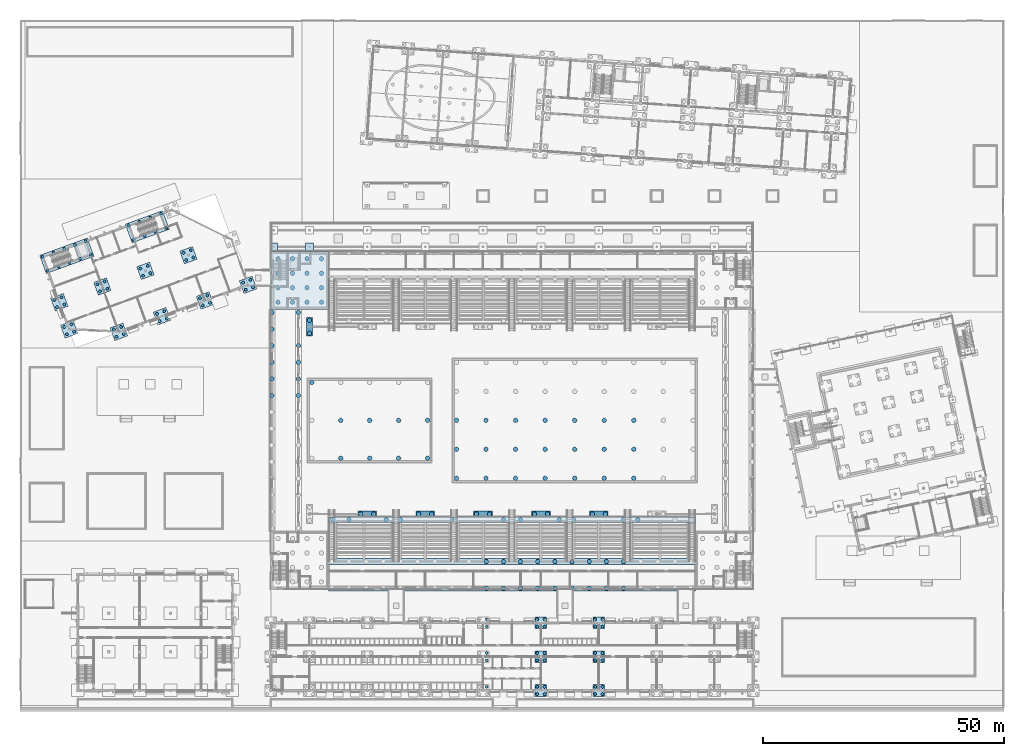
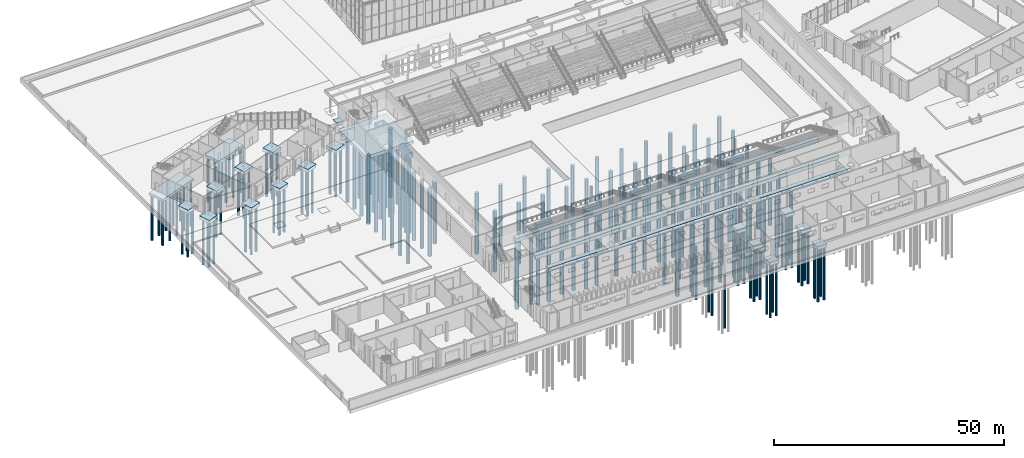
# One storey, part 3 of 157: 181 piles, 29 footings.
"""IFC4 building model written with IfcOpenShell, lengths in metres."""

from ifc_helpers import new_model, si_unit, direction, frame, origin, origin_2d, place, context, subcontext, project, spatial, polyline, rectangle, circle, outline, extrude, material, material_profile, profile_set, type_object, element, save


model = new_model("IFC4")

# Units and contexts
model_context = context("Model", 3, precision=1e-05, world=origin(), true_north=direction((0.0, 1.0)))
body_context = subcontext(model_context, "Body", "Model", "MODEL_VIEW")
ifc_project = project(units=[si_unit("LENGTHUNIT", "METRE"), si_unit("AREAUNIT", "SQUARE_METRE"), si_unit("VOLUMEUNIT", "CUBIC_METRE"), si_unit("PLANEANGLEUNIT", "RADIAN"), si_unit("MASSUNIT", "GRAM", prefix="KILO")], contexts=[model_context])

# Site, building, storey
site_placement = place(None, origin())
site = spatial("IfcSite", under=ifc_project, at=site_placement, CompositionType="ELEMENT")
building_placement = place(site_placement, origin())
building = spatial("IfcBuilding", under=site, at=building_placement, Name="Windward Yard Aquatics Centre", CompositionType="ELEMENT")
storey_placement = place(building_placement, origin())
storey = spatial("IfcBuildingStorey", under=building, at=storey_placement, Name="L00", CompositionType="ELEMENT", Elevation=0.0)

# Footings
ifc_material_1 = material(Name="Concrete C35/45", Category="concrete")
footing_type_1 = type_object("IfcFootingType", Name="A pad footing 1600X1600X700", PredefinedType="PAD_FOOTING", material=ifc_material_1)
for number, where, z_axis, x_axis, name in (
    (1, (52.60009765625, 97.0, -0.7001953125), (0.0, 0.0, 1.0), (1.0, 0.0, 0.0), "A.PF.1.1"),
    (2, (60.0, 97.0, -0.7001953125), (0.0, 0.0, 1.0), (1.0, 0.0, 0.0), "A.PF.2.1"),
):
    element("IfcFooting", number, at=place(storey_placement, frame(where, z_axis=z_axis, x_axis=x_axis)), inside=storey, type_object=footing_type_1, Name=name, PredefinedType="PAD_FOOTING", context=body_context, shape_type="SweptSolid", body=[
        extrude(rectangle(XDim=1.60009765625, YDim=1.60009765625, at=origin_2d()), origin(), (0.0, 0.0, 1.0), 0.699951171875),
    ])

# Piles
ifc_material_profile_1 = material_profile(ifc_material_1, circle(Radius=0.300048828125, at=origin_2d()), Name="RC D600")
ifc_profile_set_1 = profile_set([ifc_material_profile_1], Name="Concrete C35/45")
pile_type_1 = type_object("IfcPileType", Name="C bored pile D600", PredefinedType="BORED", material=ifc_profile_set_1)
for number, where, z_axis, x_axis, name in (
    (3, (96.75, 5.75, -1.050048828125), (0.0, 0.0, -1.0), (1.0, 0.0, 0.0), "C.PL.5.1.3"),
    (4, (96.75, 11.25, -1.050048828125), (0.0, 0.0, -1.0), (1.0, 0.0, 0.0), "C.PL.5.2.2"),
    (5, (96.75, 12.75, -1.050048828125), (0.0, 0.0, -1.0), (1.0, 0.0, 0.0), "C.PL.5.2.3"),
    (6, (96.75, 18.25, -1.050048828125), (0.0, 0.0, -1.0), (1.0, 0.0, 0.0), "C.PL.5.3.2"),
    (7, (96.75, 19.75, -1.050048828125), (0.0, 0.0, -1.0), (1.0, 0.0, 0.0), "C.PL.5.3.3"),
    (8, (107.25, 4.25, -1.050048828125), (0.0, 0.0, -1.0), (1.0, 0.0, 0.0), "C.PL.6.1.1"),
    (9, (108.75, 4.25, -1.050048828125), (0.0, 0.0, -1.0), (1.0, 0.0, 0.0), "C.PL.6.1.2"),
    (10, (108.75, 5.75, -1.050048828125), (0.0, 0.0, -1.0), (1.0, 0.0, 0.0), "C.PL.6.1.3"),
    (11, (107.25, 5.75, -1.050048828125), (0.0, 0.0, -1.0), (1.0, 0.0, 0.0), "C.PL.6.1.4"),
    (12, (107.25, 11.25, -1.050048828125), (0.0, 0.0, -1.0), (1.0, 0.0, 0.0), "C.PL.6.2.1"),
    (13, (108.75, 11.25, -1.050048828125), (0.0, 0.0, -1.0), (1.0, 0.0, 0.0), "C.PL.6.2.2"),
    (14, (108.75, 12.75, -1.050048828125), (0.0, 0.0, -1.0), (1.0, 0.0, 0.0), "C.PL.6.2.3"),
    (15, (107.25, 12.75, -1.050048828125), (0.0, 0.0, -1.0), (1.0, 0.0, 0.0), "C.PL.6.2.4"),
    (16, (107.25, 18.25, -1.050048828125), (0.0, 0.0, -1.0), (1.0, 0.0, 0.0), "C.PL.6.3.1"),
    (17, (108.75, 18.25, -1.050048828125), (0.0, 0.0, -1.0), (1.0, 0.0, 0.0), "C.PL.6.3.2"),
    (18, (108.75, 19.75, -1.050048828125), (0.0, 0.0, -1.0), (1.0, 0.0, 0.0), "C.PL.6.3.3"),
    (19, (107.25, 19.75, -1.050048828125), (0.0, 0.0, -1.0), (1.0, 0.0, 0.0), "C.PL.6.3.4"),
    (20, (119.25, 4.25, -1.050048828125), (0.0, 0.0, -1.0), (1.0, 0.0, 0.0), "C.PL.7.1.1"),
    (21, (120.75, 4.25, -1.050048828125), (0.0, 0.0, -1.0), (1.0, 0.0, 0.0), "C.PL.7.1.2"),
    (22, (120.75, 5.75, -1.050048828125), (0.0, 0.0, -1.0), (1.0, 0.0, 0.0), "C.PL.7.1.3"),
    (23, (119.25, 5.75, -1.050048828125), (0.0, 0.0, -1.0), (1.0, 0.0, 0.0), "C.PL.7.1.4"),
    (24, (119.25, 11.25, -1.050048828125), (0.0, 0.0, -1.0), (1.0, 0.0, 0.0), "C.PL.7.2.1"),
    (25, (120.75, 11.25, -1.050048828125), (0.0, 0.0, -1.0), (1.0, 0.0, 0.0), "C.PL.7.2.2"),
    (26, (120.75, 12.75, -1.050048828125), (0.0, 0.0, -1.0), (1.0, 0.0, 0.0), "C.PL.7.2.3"),
    (27, (119.25, 12.75, -1.050048828125), (0.0, 0.0, -1.0), (1.0, 0.0, 0.0), "C.PL.7.2.4"),
    (28, (119.25, 18.25, -1.050048828125), (0.0, 0.0, -1.0), (1.0, 0.0, 0.0), "C.PL.7.3.1"),
    (29, (120.75, 18.25, -1.050048828125), (0.0, 0.0, -1.0), (1.0, 0.0, 0.0), "C.PL.7.3.2"),
    (30, (120.75, 19.75, -1.050048828125), (0.0, 0.0, -1.0), (1.0, 0.0, 0.0), "C.PL.7.3.3"),
    (31, (119.25, 19.75, -1.050048828125), (0.0, 0.0, -1.0), (1.0, 0.0, 0.0), "C.PL.7.3.4"),
):
    element("IfcPile", number, at=place(storey_placement, frame(where, z_axis=z_axis, x_axis=x_axis)), inside=storey, type_object=pile_type_1, Name=name, PredefinedType="BORED", context=body_context, shape_type="SweptSolid", body=[
        extrude(circle(Radius=0.300048828125, at=origin_2d()), origin(), (0.0, 0.0, 1.0), 14.10009765625),
    ])

# Footings
footing_type_2 = type_object("IfcFootingType", Name="C pile cap 2400X2400X900", PredefinedType="PILE_CAP", material=ifc_material_1)
for number, where, z_axis, x_axis, name in (
    (32, (108.0, 5.0, -1.14990234375), (0.0, 0.0, 1.0), (1.0, 0.0, 0.0), "C.PC.6.1"),
    (33, (108.0, 12.0, -1.14990234375), (0.0, 0.0, 1.0), (1.0, 0.0, 0.0), "C.PC.6.2"),
    (34, (108.0, 19.0, -1.14990234375), (0.0, 0.0, 1.0), (1.0, 0.0, 0.0), "C.PC.6.3"),
    (35, (120.0, 5.0, -1.14990234375), (0.0, 0.0, 1.0), (1.0, 0.0, 0.0), "C.PC.7.1"),
    (36, (120.0, 12.0, -1.14990234375), (0.0, 0.0, 1.0), (1.0, 0.0, 0.0), "C.PC.7.2"),
    (37, (120.0, 19.0, -1.14990234375), (0.0, 0.0, 1.0), (1.0, 0.0, 0.0), "C.PC.7.3"),
):
    element("IfcFooting", number, at=place(storey_placement, frame(where, z_axis=z_axis, x_axis=x_axis)), inside=storey, type_object=footing_type_2, Name=name, PredefinedType="PILE_CAP", context=body_context, shape_type="SweptSolid", body=[
        extrude(rectangle(XDim=2.39990234375, YDim=2.39990234375, at=origin_2d()), origin(), (0.0, 0.0, 1.0), 0.89990234375),
    ])

# Piles
ifc_material_2 = material(Name="Concrete C40/50", Category="concrete")
ifc_material_profile_2 = material_profile(ifc_material_2, circle(Radius=0.300048828125, at=origin_2d()), Name="D600")
ifc_profile_set_2 = profile_set([ifc_material_profile_2], Name="Concrete C40/50")
pile_type_2 = type_object("IfcPileType", Name="F bored pile D600 Concrete C40/50", PredefinedType="BORED", material=ifc_profile_set_2)
for number, where, z_axis, x_axis, name in (
    (38, (9.7197265625, 78.838134765625, -0.800048828125), (0.0, 0.0, -1.0), (1.0, 0.0, 0.0), "F.PL.C01.1"),
    (39, (11.223388671875, 79.38525390625, -0.800048828125), (0.0, 0.0, -1.0), (1.0, 0.0, 0.0), "F.PL.C01.2"),
    (40, (10.676025390625, 80.888916015625, -0.800048828125), (0.0, 0.0, -1.0), (1.0, 0.0, 0.0), "F.PL.C01.3"),
    (41, (9.172607421875, 80.341552734375, -0.800048828125), (0.0, 0.0, -1.0), (1.0, 0.0, 0.0), "F.PL.C01.4"),
    (42, (20.014892578125, 78.32861328125, -0.800048828125), (0.0, 0.0, -1.0), (1.0, 0.0, 0.0), "F.PL.C02.1"),
    (43, (21.5185546875, 78.875732421875, -0.800048828125), (0.0, 0.0, -1.0), (1.0, 0.0, 0.0), "F.PL.C02.2"),
    (44, (20.97119140625, 80.37939453125, -0.800048828125), (0.0, 0.0, -1.0), (1.0, 0.0, 0.0), "F.PL.C02.3"),
    (45, (19.4677734375, 79.83203125, -0.800048828125), (0.0, 0.0, -1.0), (1.0, 0.0, 0.0), "F.PL.C02.4"),
    (46, (28.942138671875, 81.57763671875, -0.800048828125), (0.0, 0.0, -1.0), (1.0, 0.0, 0.0), "F.PL.C03.1"),
    (47, (30.445556640625, 82.125, -0.800048828125), (0.0, 0.0, -1.0), (1.0, 0.0, 0.0), "F.PL.C03.2"),
    (48, (29.898193359375, 83.62841796875, -0.800048828125), (0.0, 0.0, -1.0), (1.0, 0.0, 0.0), "F.PL.C03.3"),
    (49, (28.394775390625, 83.081298828125, -0.800048828125), (0.0, 0.0, -1.0), (1.0, 0.0, 0.0), "F.PL.C03.4"),
    (50, (37.869140625, 84.826904296875, -0.800048828125), (0.0, 0.0, -1.0), (1.0, 0.0, 0.0), "F.PL.C04.1"),
    (51, (39.372802734375, 85.3740234375, -0.800048828125), (0.0, 0.0, -1.0), (1.0, 0.0, 0.0), "F.PL.C04.2"),
    (52, (38.825439453125, 86.877685546875, -0.800048828125), (0.0, 0.0, -1.0), (1.0, 0.0, 0.0), "F.PL.C04.3"),
    (53, (37.322021484375, 86.330322265625, -0.800048828125), (0.0, 0.0, -1.0), (1.0, 0.0, 0.0), "F.PL.C04.4"),
    (54, (46.796142578125, 88.076171875, -0.800048828125), (0.0, 0.0, -1.0), (1.0, 0.0, 0.0), "F.PL.C05.1"),
    (55, (48.2998046875, 88.623291015625, -0.800048828125), (0.0, 0.0, -1.0), (1.0, 0.0, 0.0), "F.PL.C05.2"),
    (56, (47.75244140625, 90.126708984375, -0.800048828125), (0.0, 0.0, -1.0), (1.0, 0.0, 0.0), "F.PL.C05.3"),
    (57, (46.2490234375, 89.57958984375, -0.800048828125), (0.0, 0.0, -1.0), (1.0, 0.0, 0.0), "F.PL.C05.4"),
    (58, (7.667724609375, 84.476318359375, -0.800048828125), (0.0, 0.0, -1.0), (1.0, 0.0, 0.0), "F.PL.C08.1"),
    (59, (9.171142578125, 85.0234375, -0.800048828125), (0.0, 0.0, -1.0), (1.0, 0.0, 0.0), "F.PL.C08.2"),
    (60, (8.6240234375, 86.527099609375, -0.800048828125), (0.0, 0.0, -1.0), (1.0, 0.0, 0.0), "F.PL.C08.3"),
    (61, (7.12060546875, 85.979736328125, -0.800048828125), (0.0, 0.0, -1.0), (1.0, 0.0, 0.0), "F.PL.C08.4"),
    (62, (16.5947265625, 87.725341796875, -0.800048828125), (0.0, 0.0, -1.0), (1.0, 0.0, 0.0), "F.PL.C09.1"),
    (63, (18.098388671875, 88.272705078125, -0.800048828125), (0.0, 0.0, -1.0), (1.0, 0.0, 0.0), "F.PL.C09.2"),
    (64, (17.551025390625, 89.776123046875, -0.800048828125), (0.0, 0.0, -1.0), (1.0, 0.0, 0.0), "F.PL.C09.3"),
    (65, (16.047607421875, 89.22900390625, -0.800048828125), (0.0, 0.0, -1.0), (1.0, 0.0, 0.0), "F.PL.C09.4"),
    (66, (25.52197265625, 90.974609375, -0.800048828125), (0.0, 0.0, -1.0), (1.0, 0.0, 0.0), "F.PL.C10.1"),
    (67, (27.025390625, 91.52197265625, -0.800048828125), (0.0, 0.0, -1.0), (1.0, 0.0, 0.0), "F.PL.C10.2"),
    (68, (26.47802734375, 93.025390625, -0.800048828125), (0.0, 0.0, -1.0), (1.0, 0.0, 0.0), "F.PL.C10.3"),
    (69, (24.974609375, 92.47802734375, -0.800048828125), (0.0, 0.0, -1.0), (1.0, 0.0, 0.0), "F.PL.C10.4"),
    (70, (34.448974609375, 94.223876953125, -0.800048828125), (0.0, 0.0, -1.0), (1.0, 0.0, 0.0), "F.PL.C11.1"),
    (71, (35.952392578125, 94.77099609375, -0.800048828125), (0.0, 0.0, -1.0), (1.0, 0.0, 0.0), "F.PL.C11.2"),
    (72, (35.4052734375, 96.274658203125, -0.800048828125), (0.0, 0.0, -1.0), (1.0, 0.0, 0.0), "F.PL.C11.3"),
    (73, (33.901611328125, 95.727294921875, -0.800048828125), (0.0, 0.0, -1.0), (1.0, 0.0, 0.0), "F.PL.C11.4"),
    (74, (5.751708984375, 92.07958984375, -1.699951171875), (0.0, 0.0, -1.0), (1.0, 0.0, 0.0), "F.PL.R1.01"),
    (75, (7.9833984375, 92.891845703125, -1.699951171875), (0.0, 0.0, -1.0), (1.0, 0.0, 0.0), "F.PL.R1.02"),
    (76, (10.215087890625, 93.7041015625, -1.699951171875), (0.0, 0.0, -1.0), (1.0, 0.0, 0.0), "F.PL.R1.03"),
    (77, (12.447021484375, 94.516357421875, -1.699951171875), (0.0, 0.0, -1.0), (1.0, 0.0, 0.0), "F.PL.R1.04"),
    (78, (14.6787109375, 95.32861328125, -1.699951171875), (0.0, 0.0, -1.0), (1.0, 0.0, 0.0), "F.PL.R1.05"),
    (79, (4.7255859375, 94.8984375, -1.699951171875), (0.0, 0.0, -1.0), (1.0, 0.0, 0.0), "F.PL.R1.06"),
    (80, (6.95751953125, 95.710693359375, -1.699951171875), (0.0, 0.0, -1.0), (1.0, 0.0, 0.0), "F.PL.R1.07"),
    (81, (9.189208984375, 96.523193359375, -1.699951171875), (0.0, 0.0, -1.0), (1.0, 0.0, 0.0), "F.PL.R1.08"),
    (82, (11.4208984375, 97.33544921875, -1.699951171875), (0.0, 0.0, -1.0), (1.0, 0.0, 0.0), "F.PL.R1.09"),
    (83, (13.652587890625, 98.147705078125, -1.699951171875), (0.0, 0.0, -1.0), (1.0, 0.0, 0.0), "F.PL.R1.10"),
    (84, (23.546142578125, 98.44970703125, -1.699951171875), (0.0, 0.0, -1.0), (1.0, 0.0, 0.0), "F.PL.R2.01"),
    (85, (25.801513671875, 99.2705078125, -1.699951171875), (0.0, 0.0, -1.0), (1.0, 0.0, 0.0), "F.PL.R2.02"),
    (86, (28.056640625, 100.09130859375, -1.699951171875), (0.0, 0.0, -1.0), (1.0, 0.0, 0.0), "F.PL.R2.03"),
    (87, (30.31201171875, 100.912109375, -1.699951171875), (0.0, 0.0, -1.0), (1.0, 0.0, 0.0), "F.PL.R2.04"),
    (88, (22.48583984375, 101.36279296875, -1.699951171875), (0.0, 0.0, -1.0), (1.0, 0.0, 0.0), "F.PL.R2.05"),
    (89, (24.7412109375, 102.18359375, -1.699951171875), (0.0, 0.0, -1.0), (1.0, 0.0, 0.0), "F.PL.R2.06"),
    (90, (26.996337890625, 103.00439453125, -1.699951171875), (0.0, 0.0, -1.0), (1.0, 0.0, 0.0), "F.PL.R2.07"),
    (91, (29.251708984375, 103.8251953125, -1.699951171875), (0.0, 0.0, -1.0), (1.0, 0.0, 0.0), "F.PL.R2.08"),
):
    element("IfcPile", number, at=place(storey_placement, frame(where, z_axis=z_axis, x_axis=x_axis)), inside=storey, type_object=pile_type_2, Name=name, PredefinedType="BORED", context=body_context, shape_type="SweptSolid", body=[
        extrude(circle(Radius=0.300048828125, at=origin_2d()), origin(), (0.0, 0.0, 1.0), 12.02490234375),
    ])

# Footings
footing_type_3 = type_object("IfcFootingType", Name="F core raft 10500x4000x600 Concrete C40/50", PredefinedType="PILE_CAP", material=ifc_material_2)
footing_1_placement = place(storey_placement, frame((0.0, 0.0, -1.800048828125)))
element("IfcFooting", 92, at=footing_1_placement, inside=storey, type_object=footing_type_3, Name="F.FT.R1", PredefinedType="PILE_CAP", context=body_context, shape_type="SweptSolid", body=[
    extrude(outline(polyline([(4.084716796875, 95.197509765625), (5.452880859375, 91.438720703125), (15.319580078125, 95.02978515625), (13.95166015625, 98.78857421875), (4.084716796875, 95.197509765625)])), origin(), (0.0, 0.0, 1.0), 0.60009765625),
])
footing_type_4 = type_object("IfcFootingType", Name="F core raft 8200x4100x600 Concrete C40/50", PredefinedType="PILE_CAP", material=ifc_material_2)
footing_2_placement = place(storey_placement, frame((0.0, 0.0, -1.800048828125)))
element("IfcFooting", 93, at=footing_2_placement, inside=storey, type_object=footing_type_4, Name="F.FT.R2", PredefinedType="PILE_CAP", context=body_context, shape_type="SweptSolid", body=[
    extrude(outline(polyline([(21.844970703125, 101.66162109375), (23.247314453125, 97.808837890625), (30.95263671875, 100.61328125), (29.550537109375, 104.466064453125), (21.844970703125, 101.66162109375)])), origin(), (0.0, 0.0, 1.0), 0.60009765625),
])
footing_type_5 = type_object("IfcFootingType", Name="F pile cap 2800x2800x900 Concrete C40/50", PredefinedType="PILE_CAP", material=ifc_material_2)
footing_3_placement = place(storey_placement, frame((0.0, 0.0, -0.89990234375)))
element("IfcFooting", 94, at=footing_3_placement, inside=storey, type_object=footing_type_5, Name="F.FT.C01", PredefinedType="PILE_CAP", context=body_context, shape_type="SweptSolid", body=[
    extrude(outline(polyline([(8.403564453125, 80.7001953125), (9.361083984375, 78.069091796875), (11.992431640625, 79.026611328125), (11.03466796875, 81.657958984375), (8.403564453125, 80.7001953125)])), origin(), (0.0, 0.0, 1.0), 0.89990234375),
])
footing_4_placement = place(storey_placement, frame((0.0, 0.0, -0.89990234375)))
element("IfcFooting", 95, at=footing_4_placement, inside=storey, type_object=footing_type_5, Name="F.FT.C02", PredefinedType="PILE_CAP", context=body_context, shape_type="SweptSolid", body=[
    extrude(outline(polyline([(18.69873046875, 80.190673828125), (19.656494140625, 77.5595703125), (22.28759765625, 78.51708984375), (21.329833984375, 81.148193359375), (18.69873046875, 80.190673828125)])), origin(), (0.0, 0.0, 1.0), 0.89990234375),
])
footing_5_placement = place(storey_placement, frame((0.0, 0.0, -0.89990234375)))
element("IfcFooting", 96, at=footing_5_placement, inside=storey, type_object=footing_type_5, Name="F.FT.C03", PredefinedType="PILE_CAP", context=body_context, shape_type="SweptSolid", body=[
    extrude(outline(polyline([(27.625732421875, 83.439697265625), (28.58349609375, 80.80859375), (31.214599609375, 81.766357421875), (30.2568359375, 84.3974609375), (27.625732421875, 83.439697265625)])), origin(), (0.0, 0.0, 1.0), 0.89990234375),
])
footing_6_placement = place(storey_placement, frame((0.0, 0.0, -0.89990234375)))
element("IfcFooting", 97, at=footing_6_placement, inside=storey, type_object=footing_type_5, Name="F.FT.C04", PredefinedType="PILE_CAP", context=body_context, shape_type="SweptSolid", body=[
    extrude(outline(polyline([(36.552978515625, 86.68896484375), (37.510498046875, 84.057861328125), (40.1416015625, 85.015380859375), (39.18408203125, 87.646728515625), (36.552978515625, 86.68896484375)])), origin(), (0.0, 0.0, 1.0), 0.89990234375),
])
footing_7_placement = place(storey_placement, frame((0.0, 0.0, -0.89990234375)))
element("IfcFooting", 98, at=footing_7_placement, inside=storey, type_object=footing_type_5, Name="F.FT.C05", PredefinedType="PILE_CAP", context=body_context, shape_type="SweptSolid", body=[
    extrude(outline(polyline([(45.47998046875, 89.938232421875), (46.4375, 87.30712890625), (49.06884765625, 88.2646484375), (48.111083984375, 90.89599609375), (45.47998046875, 89.938232421875)])), origin(), (0.0, 0.0, 1.0), 0.89990234375),
])
footing_8_placement = place(storey_placement, frame((0.0, 0.0, -0.89990234375)))
element("IfcFooting", 99, at=footing_8_placement, inside=storey, type_object=footing_type_5, Name="F.FT.C08", PredefinedType="PILE_CAP", context=body_context, shape_type="SweptSolid", body=[
    extrude(outline(polyline([(6.351318359375, 86.33837890625), (7.30908203125, 83.707275390625), (9.940185546875, 84.664794921875), (8.982666015625, 87.2958984375), (6.351318359375, 86.33837890625)])), origin(), (0.0, 0.0, 1.0), 0.89990234375),
])
footing_9_placement = place(storey_placement, frame((0.0, 0.0, -0.89990234375)))
element("IfcFooting", 100, at=footing_9_placement, inside=storey, type_object=footing_type_5, Name="F.FT.C09", PredefinedType="PILE_CAP", context=body_context, shape_type="SweptSolid", body=[
    extrude(outline(polyline([(15.278564453125, 89.587646484375), (16.236083984375, 86.956298828125), (18.8671875, 87.9140625), (17.90966796875, 90.545166015625), (15.278564453125, 89.587646484375)])), origin(), (0.0, 0.0, 1.0), 0.89990234375),
])
footing_10_placement = place(storey_placement, frame((0.0, 0.0, -0.89990234375)))
element("IfcFooting", 101, at=footing_10_placement, inside=storey, type_object=footing_type_5, Name="F.FT.C10", PredefinedType="PILE_CAP", context=body_context, shape_type="SweptSolid", body=[
    extrude(outline(polyline([(24.20556640625, 92.836669921875), (25.163330078125, 90.20556640625), (27.79443359375, 91.163330078125), (26.836669921875, 93.79443359375), (24.20556640625, 92.836669921875)])), origin(), (0.0, 0.0, 1.0), 0.89990234375),
])
footing_11_placement = place(storey_placement, frame((0.0, 0.0, -0.89990234375)))
element("IfcFooting", 102, at=footing_11_placement, inside=storey, type_object=footing_type_5, Name="F.FT.C11", PredefinedType="PILE_CAP", context=body_context, shape_type="SweptSolid", body=[
    extrude(outline(polyline([(33.1328125, 96.0859375), (34.09033203125, 93.454833984375), (36.721435546875, 94.412353515625), (35.763916015625, 97.043701171875), (33.1328125, 96.0859375)])), origin(), (0.0, 0.0, 1.0), 0.89990234375),
])

# Piles
ifc_material_profile_3 = material_profile(ifc_material_1, circle(Radius=0.449951171875, at=origin_2d()), Name="RC D900")
ifc_profile_set_3 = profile_set([ifc_material_profile_3], Name="Concrete C35/45")
pile_type_3 = type_object("IfcPileType", Name="H bored pile RC D900 C35/45", PredefinedType="BORED", material=ifc_profile_set_3)
for number, where, z_axis, x_axis, name in (
    (103, (96.664306640625, 26.22509765625, -0.89990234375), (0.0, 0.0, -1.0), (1.0, 0.0, 0.0), "H.PL.PW.S.10"),
    (104, (100.221435546875, 26.22509765625, -0.89990234375), (0.0, 0.0, -1.0), (1.0, 0.0, 0.0), "H.PL.PW.S.11"),
    (105, (103.778564453125, 26.22509765625, -0.89990234375), (0.0, 0.0, -1.0), (1.0, 0.0, 0.0), "H.PL.PW.S.12"),
    (106, (107.335693359375, 26.22509765625, -0.89990234375), (0.0, 0.0, -1.0), (1.0, 0.0, 0.0), "H.PL.PW.S.13"),
    (107, (110.892822265625, 26.22509765625, -0.89990234375), (0.0, 0.0, -1.0), (1.0, 0.0, 0.0), "H.PL.PW.S.14"),
    (108, (114.449951171875, 26.22509765625, -0.89990234375), (0.0, 0.0, -1.0), (1.0, 0.0, 0.0), "H.PL.PW.S.15"),
    (109, (118.007080078125, 26.22509765625, -0.89990234375), (0.0, 0.0, -1.0), (1.0, 0.0, 0.0), "H.PL.PW.S.16"),
    (110, (121.564208984375, 26.22509765625, -0.89990234375), (0.0, 0.0, -1.0), (1.0, 0.0, 0.0), "H.PL.PW.S.17"),
    (111, (125.121337890625, 26.22509765625, -0.89990234375), (0.0, 0.0, -1.0), (1.0, 0.0, 0.0), "H.PL.PW.S.18"),
    (112, (96.664306640625, 31.709716796875, -0.89990234375), (0.0, 0.0, -1.0), (1.0, 0.0, 0.0), "H.PL.RW.S.10"),
    (113, (100.221435546875, 31.709716796875, -0.89990234375), (0.0, 0.0, -1.0), (1.0, 0.0, 0.0), "H.PL.RW.S.11"),
    (114, (103.778564453125, 31.709716796875, -0.89990234375), (0.0, 0.0, -1.0), (1.0, 0.0, 0.0), "H.PL.RW.S.12"),
    (115, (107.335693359375, 31.709716796875, -0.89990234375), (0.0, 0.0, -1.0), (1.0, 0.0, 0.0), "H.PL.RW.S.13"),
    (116, (110.892822265625, 31.709716796875, -0.89990234375), (0.0, 0.0, -1.0), (1.0, 0.0, 0.0), "H.PL.RW.S.14"),
    (117, (114.449951171875, 31.709716796875, -0.89990234375), (0.0, 0.0, -1.0), (1.0, 0.0, 0.0), "H.PL.RW.S.15"),
    (118, (118.007080078125, 31.709716796875, -0.89990234375), (0.0, 0.0, -1.0), (1.0, 0.0, 0.0), "H.PL.RW.S.16"),
    (119, (121.564208984375, 31.709716796875, -0.89990234375), (0.0, 0.0, -1.0), (1.0, 0.0, 0.0), "H.PL.RW.S.17"),
    (120, (125.121337890625, 31.709716796875, -0.89990234375), (0.0, 0.0, -1.0), (1.0, 0.0, 0.0), "H.PL.RW.S.18"),
    (121, (52.22509765625, 66.15771484375, -0.89990234375), (0.0, 0.0, -1.0), (1.0, 0.0, 0.0), "H.PL.PW.W.09"),
    (122, (52.22509765625, 69.59619140625, -0.89990234375), (0.0, 0.0, -1.0), (1.0, 0.0, 0.0), "H.PL.PW.W.10"),
    (123, (52.22509765625, 73.03466796875, -0.89990234375), (0.0, 0.0, -1.0), (1.0, 0.0, 0.0), "H.PL.PW.W.11"),
    (124, (52.22509765625, 76.47314453125, -0.89990234375), (0.0, 0.0, -1.0), (1.0, 0.0, 0.0), "H.PL.PW.W.12"),
    (125, (52.22509765625, 79.91162109375, -0.89990234375), (0.0, 0.0, -1.0), (1.0, 0.0, 0.0), "H.PL.PW.W.13"),
    (126, (52.22509765625, 83.35009765625, -0.89990234375), (0.0, 0.0, -1.0), (1.0, 0.0, 0.0), "H.PL.PW.W.14"),
    (127, (57.709716796875, 66.15771484375, -0.89990234375), (0.0, 0.0, -1.0), (1.0, 0.0, 0.0), "H.PL.RW.W.08"),
    (128, (57.709716796875, 69.59619140625, -0.89990234375), (0.0, 0.0, -1.0), (1.0, 0.0, 0.0), "H.PL.RW.W.09"),
    (129, (57.709716796875, 73.03466796875, -0.89990234375), (0.0, 0.0, -1.0), (1.0, 0.0, 0.0), "H.PL.RW.W.10"),
    (130, (57.709716796875, 76.47314453125, -0.89990234375), (0.0, 0.0, -1.0), (1.0, 0.0, 0.0), "H.PL.RW.W.11"),
    (131, (57.709716796875, 83.35009765625, -0.89990234375), (0.0, 0.0, -1.0), (1.0, 0.0, 0.0), "H.PL.RW.W.12"),
    (132, (64.64990234375, 40.39990234375, -1.699951171875), (0.0, 0.0, -1.0), (1.0, 0.0, 0.0), "H.PL.SW.S.01"),
    (133, (68.20703125, 40.39990234375, -1.699951171875), (0.0, 0.0, -1.0), (1.0, 0.0, 0.0), "H.PL.SW.S.02"),
    (134, (75.92138671875, 40.39990234375, -1.699951171875), (0.0, 0.0, -1.0), (1.0, 0.0, 0.0), "H.PL.SW.S.03"),
    (135, (78.878662109375, 40.39990234375, -1.699951171875), (0.0, 0.0, -1.0), (1.0, 0.0, 0.0), "H.PL.SW.S.04"),
    (136, (89.550048828125, 40.39990234375, -1.699951171875), (0.0, 0.0, -1.0), (1.0, 0.0, 0.0), "H.PL.SW.S.05"),
    (137, (100.221435546875, 40.39990234375, -1.699951171875), (0.0, 0.0, -1.0), (1.0, 0.0, 0.0), "H.PL.SW.S.06"),
    (138, (103.778564453125, 40.39990234375, -1.699951171875), (0.0, 0.0, -1.0), (1.0, 0.0, 0.0), "H.PL.SW.S.07"),
    (139, (111.79296875, 40.39990234375, -1.699951171875), (0.0, 0.0, -1.0), (1.0, 0.0, 0.0), "H.PL.SW.S.08"),
    (140, (114.75, 40.39990234375, -1.699951171875), (0.0, 0.0, -1.0), (1.0, 0.0, 0.0), "H.PL.SW.S.09"),
    (141, (125.121337890625, 40.39990234375, -1.699951171875), (0.0, 0.0, -1.0), (1.0, 0.0, 0.0), "H.PL.SW.S.10"),
    (142, (128.07861328125, 40.39990234375, -1.699951171875), (0.0, 0.0, -1.0), (1.0, 0.0, 0.0), "H.PL.SW.S.11"),
    (143, (53.5, 85.5, -2.300048828125), (0.0, 0.0, -1.0), (1.0, 0.0, 0.0), "H.PL.CR.NW.01"),
    (144, (53.5, 88.5, -2.300048828125), (0.0, 0.0, -1.0), (1.0, 0.0, 0.0), "H.PL.CR.NW.02"),
    (145, (53.5, 91.5, -2.300048828125), (0.0, 0.0, -1.0), (1.0, 0.0, 0.0), "H.PL.CR.NW.03"),
    (146, (53.5, 94.5, -2.300048828125), (0.0, 0.0, -1.0), (1.0, 0.0, 0.0), "H.PL.CR.NW.04"),
    (147, (56.5, 85.5, -2.300048828125), (0.0, 0.0, -1.0), (1.0, 0.0, 0.0), "H.PL.CR.NW.05"),
    (148, (56.5, 88.5, -2.300048828125), (0.0, 0.0, -1.0), (1.0, 0.0, 0.0), "H.PL.CR.NW.06"),
    (149, (56.5, 91.5, -2.300048828125), (0.0, 0.0, -1.0), (1.0, 0.0, 0.0), "H.PL.CR.NW.07"),
    (150, (56.5, 94.5, -2.300048828125), (0.0, 0.0, -1.0), (1.0, 0.0, 0.0), "H.PL.CR.NW.08"),
    (151, (59.5, 85.5, -2.300048828125), (0.0, 0.0, -1.0), (1.0, 0.0, 0.0), "H.PL.CR.NW.09"),
    (152, (59.5, 88.5, -2.300048828125), (0.0, 0.0, -1.0), (1.0, 0.0, 0.0), "H.PL.CR.NW.10"),
    (153, (59.5, 91.5, -2.300048828125), (0.0, 0.0, -1.0), (1.0, 0.0, 0.0), "H.PL.CR.NW.11"),
    (154, (59.5, 94.5, -2.300048828125), (0.0, 0.0, -1.0), (1.0, 0.0, 0.0), "H.PL.CR.NW.12"),
    (155, (62.5, 85.5, -2.300048828125), (0.0, 0.0, -1.0), (1.0, 0.0, 0.0), "H.PL.CR.NW.13"),
    (156, (62.5, 88.5, -2.300048828125), (0.0, 0.0, -1.0), (1.0, 0.0, 0.0), "H.PL.CR.NW.14"),
    (157, (62.5, 91.5, -2.300048828125), (0.0, 0.0, -1.0), (1.0, 0.0, 0.0), "H.PL.CR.NW.15"),
    (158, (62.5, 94.5, -2.300048828125), (0.0, 0.0, -1.0), (1.0, 0.0, 0.0), "H.PL.CR.NW.16"),
):
    element("IfcPile", number, at=place(storey_placement, frame(where, z_axis=z_axis, x_axis=x_axis)), inside=storey, type_object=pile_type_3, Name=name, PredefinedType="BORED", context=body_context, shape_type="SweptSolid", body=[
        extrude(circle(Radius=0.449951171875, at=origin_2d()), origin(), (0.0, 0.0, 1.0), 18.10009765625),
    ])
for number, where, z_axis, x_axis, name in (
    (159, (60.0, 79.050048828125, -1.39990234375), (0.0, 0.0, -1.0), (1.0, 0.0, 0.0), "H.PL.AC.N1.1"),
    (160, (60.0, 81.75, -1.39990234375), (0.0, 0.0, -1.0), (1.0, 0.0, 0.0), "H.PL.AC.N1.2"),
    (161, (70.64990234375, 41.60009765625, -1.39990234375), (0.0, 0.0, -1.0), (1.0, 0.0, 0.0), "H.PL.AC.S2.1"),
    (162, (73.35009765625, 41.60009765625, -1.39990234375), (0.0, 0.0, -1.0), (1.0, 0.0, 0.0), "H.PL.AC.S2.2"),
    (163, (82.64990234375, 41.60009765625, -1.39990234375), (0.0, 0.0, -1.0), (1.0, 0.0, 0.0), "H.PL.AC.S3.1"),
    (164, (85.35009765625, 41.60009765625, -1.39990234375), (0.0, 0.0, -1.0), (1.0, 0.0, 0.0), "H.PL.AC.S3.2"),
    (165, (94.64990234375, 41.60009765625, -1.39990234375), (0.0, 0.0, -1.0), (1.0, 0.0, 0.0), "H.PL.AC.S4.1"),
    (166, (97.35009765625, 41.60009765625, -1.39990234375), (0.0, 0.0, -1.0), (1.0, 0.0, 0.0), "H.PL.AC.S4.2"),
    (167, (106.64990234375, 41.60009765625, -1.39990234375), (0.0, 0.0, -1.0), (1.0, 0.0, 0.0), "H.PL.AC.S5.1"),
    (168, (109.35009765625, 41.60009765625, -1.39990234375), (0.0, 0.0, -1.0), (1.0, 0.0, 0.0), "H.PL.AC.S5.2"),
    (169, (118.64990234375, 41.60009765625, -1.39990234375), (0.0, 0.0, -1.0), (1.0, 0.0, 0.0), "H.PL.AC.S6.1"),
    (170, (121.35009765625, 41.60009765625, -1.39990234375), (0.0, 0.0, -1.0), (1.0, 0.0, 0.0), "H.PL.AC.S6.2"),
):
    element("IfcPile", number, at=place(storey_placement, frame(where, z_axis=z_axis, x_axis=x_axis)), inside=storey, type_object=pile_type_3, Name=name, PredefinedType="BORED", context=body_context, shape_type="SweptSolid", body=[
        extrude(circle(Radius=0.449951171875, at=origin_2d()), origin(), (0.0, 0.0, 1.0), 20.10009765625),
    ])
for number, where, z_axis, x_axis, name in (
    (171, (90.5, 49.0, -3.39990234375), (0.0, 0.0, -1.0), (1.0, 0.0, 0.0), "H.PL.TK.C.01"),
    (172, (90.5, 55.0, -3.39990234375), (0.0, 0.0, -1.0), (1.0, 0.0, 0.0), "H.PL.TK.C.02"),
    (173, (90.5, 61.0, -3.39990234375), (0.0, 0.0, -1.0), (1.0, 0.0, 0.0), "H.PL.TK.C.03"),
    (174, (96.625, 49.0, -3.39990234375), (0.0, 0.0, -1.0), (1.0, 0.0, 0.0), "H.PL.TK.C.06"),
    (175, (96.625, 55.0, -3.39990234375), (0.0, 0.0, -1.0), (1.0, 0.0, 0.0), "H.PL.TK.C.07"),
    (176, (96.625, 61.0, -3.39990234375), (0.0, 0.0, -1.0), (1.0, 0.0, 0.0), "H.PL.TK.C.08"),
    (177, (102.75, 49.0, -3.39990234375), (0.0, 0.0, -1.0), (1.0, 0.0, 0.0), "H.PL.TK.C.11"),
    (178, (102.75, 55.0, -3.39990234375), (0.0, 0.0, -1.0), (1.0, 0.0, 0.0), "H.PL.TK.C.12"),
    (179, (102.75, 61.0, -3.39990234375), (0.0, 0.0, -1.0), (1.0, 0.0, 0.0), "H.PL.TK.C.13"),
    (180, (108.875, 49.0, -3.39990234375), (0.0, 0.0, -1.0), (1.0, 0.0, 0.0), "H.PL.TK.C.16"),
    (181, (108.875, 55.0, -3.39990234375), (0.0, 0.0, -1.0), (1.0, 0.0, 0.0), "H.PL.TK.C.17"),
    (182, (108.875, 61.0, -3.39990234375), (0.0, 0.0, -1.0), (1.0, 0.0, 0.0), "H.PL.TK.C.18"),
    (183, (115.0, 49.0, -3.39990234375), (0.0, 0.0, -1.0), (1.0, 0.0, 0.0), "H.PL.TK.C.21"),
    (184, (115.0, 55.0, -3.39990234375), (0.0, 0.0, -1.0), (1.0, 0.0, 0.0), "H.PL.TK.C.22"),
    (185, (115.0, 61.0, -3.39990234375), (0.0, 0.0, -1.0), (1.0, 0.0, 0.0), "H.PL.TK.C.23"),
    (186, (121.125, 49.0, -3.39990234375), (0.0, 0.0, -1.0), (1.0, 0.0, 0.0), "H.PL.TK.C.26"),
    (187, (121.125, 55.0, -3.39990234375), (0.0, 0.0, -1.0), (1.0, 0.0, 0.0), "H.PL.TK.C.27"),
    (188, (121.125, 61.0, -3.39990234375), (0.0, 0.0, -1.0), (1.0, 0.0, 0.0), "H.PL.TK.C.28"),
    (189, (127.25, 49.0, -3.39990234375), (0.0, 0.0, -1.0), (1.0, 0.0, 0.0), "H.PL.TK.C.31"),
    (190, (127.25, 55.0, -3.39990234375), (0.0, 0.0, -1.0), (1.0, 0.0, 0.0), "H.PL.TK.C.32"),
    (191, (127.25, 61.0, -3.39990234375), (0.0, 0.0, -1.0), (1.0, 0.0, 0.0), "H.PL.TK.C.33"),
    (192, (60.5, 68.85009765625, -2.199951171875), (0.0, 0.0, -1.0), (1.0, 0.0, 0.0), "H.PL.TK.T.03"),
    (193, (66.5, 53.14990234375, -2.199951171875), (0.0, 0.0, -1.0), (1.0, 0.0, 0.0), "H.PL.TK.T.04"),
    (194, (66.5, 61.0, -2.199951171875), (0.0, 0.0, -1.0), (1.0, 0.0, 0.0), "H.PL.TK.T.05"),
    (195, (72.5, 53.14990234375, -2.199951171875), (0.0, 0.0, -1.0), (1.0, 0.0, 0.0), "H.PL.TK.T.07"),
    (196, (72.5, 61.0, -2.199951171875), (0.0, 0.0, -1.0), (1.0, 0.0, 0.0), "H.PL.TK.T.08"),
    (197, (78.5, 53.14990234375, -2.199951171875), (0.0, 0.0, -1.0), (1.0, 0.0, 0.0), "H.PL.TK.T.10"),
    (198, (78.5, 61.0, -2.199951171875), (0.0, 0.0, -1.0), (1.0, 0.0, 0.0), "H.PL.TK.T.11"),
    (199, (84.5, 53.14990234375, -2.199951171875), (0.0, 0.0, -1.0), (1.0, 0.0, 0.0), "H.PL.TK.T.13"),
    (200, (84.5, 61.0, -2.199951171875), (0.0, 0.0, -1.0), (1.0, 0.0, 0.0), "H.PL.TK.T.14"),
):
    element("IfcPile", number, at=place(storey_placement, frame(where, z_axis=z_axis, x_axis=x_axis)), inside=storey, type_object=pile_type_3, Name=name, PredefinedType="BORED", context=body_context, shape_type="SweptSolid", body=[
        extrude(circle(Radius=0.449951171875, at=origin_2d()), origin(), (0.0, 0.0, 1.0), 16.10009765625),
    ])

# Footings
footing_type_6 = type_object("IfcFootingType", Name="H core raft 12000x12000x800", PredefinedType="PILE_CAP", material=ifc_material_1)
footing_12_placement = place(storey_placement, frame((58.0, 90.0, -2.39990234375), z_axis=(0.0, 0.0, 1.0), x_axis=(1.0, 0.0, 0.0)))
element("IfcFooting", 201, at=footing_12_placement, inside=storey, type_object=footing_type_6, Name="H.FT.CR.NW", PredefinedType="PILE_CAP", context=body_context, shape_type="SweptSolid", body=[
    extrude(rectangle(XDim=12.0, YDim=12.0, at=origin_2d()), origin(), (0.0, 0.0, 1.0), 0.800048828125),
])
footing_type_7 = type_object("IfcFootingType", Name="H pile cap 3900x1200x1500", PredefinedType="PILE_CAP", material=ifc_material_1)
for number, where, z_axis, x_axis, name in (
    (202, (60.0, 80.39990234375, -1.5), (0.0, 0.0, 1.0), (0.0, 1.0, 0.0), "H.FT.AC.N1"),
    (203, (72.0, 41.60009765625, -1.5), (0.0, 0.0, 1.0), (1.0, 0.0, 0.0), "H.FT.AC.S2"),
    (204, (84.0, 41.60009765625, -1.5), (0.0, 0.0, 1.0), (1.0, 0.0, 0.0), "H.FT.AC.S3"),
    (205, (96.0, 41.60009765625, -1.5), (0.0, 0.0, 1.0), (1.0, 0.0, 0.0), "H.FT.AC.S4"),
    (206, (108.0, 41.60009765625, -1.5), (0.0, 0.0, 1.0), (1.0, 0.0, 0.0), "H.FT.AC.S5"),
    (207, (120.0, 41.60009765625, -1.5), (0.0, 0.0, 1.0), (1.0, 0.0, 0.0), "H.FT.AC.S6"),
):
    element("IfcFooting", number, at=place(storey_placement, frame(where, z_axis=z_axis, x_axis=x_axis)), inside=storey, type_object=footing_type_7, Name=name, PredefinedType="PILE_CAP", context=body_context, shape_type="SweptSolid", body=[
        extrude(rectangle(XDim=3.89990234375, YDim=1.199951171875, at=origin_2d()), origin(), (0.0, 0.0, 1.0), 1.5),
    ])
footing_type_8 = type_object("IfcFootingType", Name="H strip footing 1200x1000", PredefinedType="STRIP_FOOTING", material=ifc_material_1)
for number, where, z_axis, x_axis, name in (
    (208, (102.0, 26.22509765625, -1.0), (0.0, 0.0, 1.0), (1.0, 0.0, 0.0), "H.FT.PW.S"),
    (209, (102.0, 31.709716796875, -1.0), (0.0, 0.0, 1.0), (1.0, 0.0, 0.0), "H.FT.RW.S"),
    (210, (102.0, 40.39990234375, -1.800048828125), (0.0, 0.0, 1.0), (1.0, 0.0, 0.0), "H.FT.SW.S"),
):
    element("IfcFooting", number, at=place(storey_placement, frame(where, z_axis=z_axis, x_axis=x_axis)), inside=storey, type_object=footing_type_8, Name=name, PredefinedType="STRIP_FOOTING", context=body_context, shape_type="SweptSolid", body=[
        extrude(rectangle(XDim=76.0, YDim=1.199951171875, at=origin_2d()), origin(), (0.0, 0.0, 1.0), 1.0),
    ])

save(model, "model.ifc")
